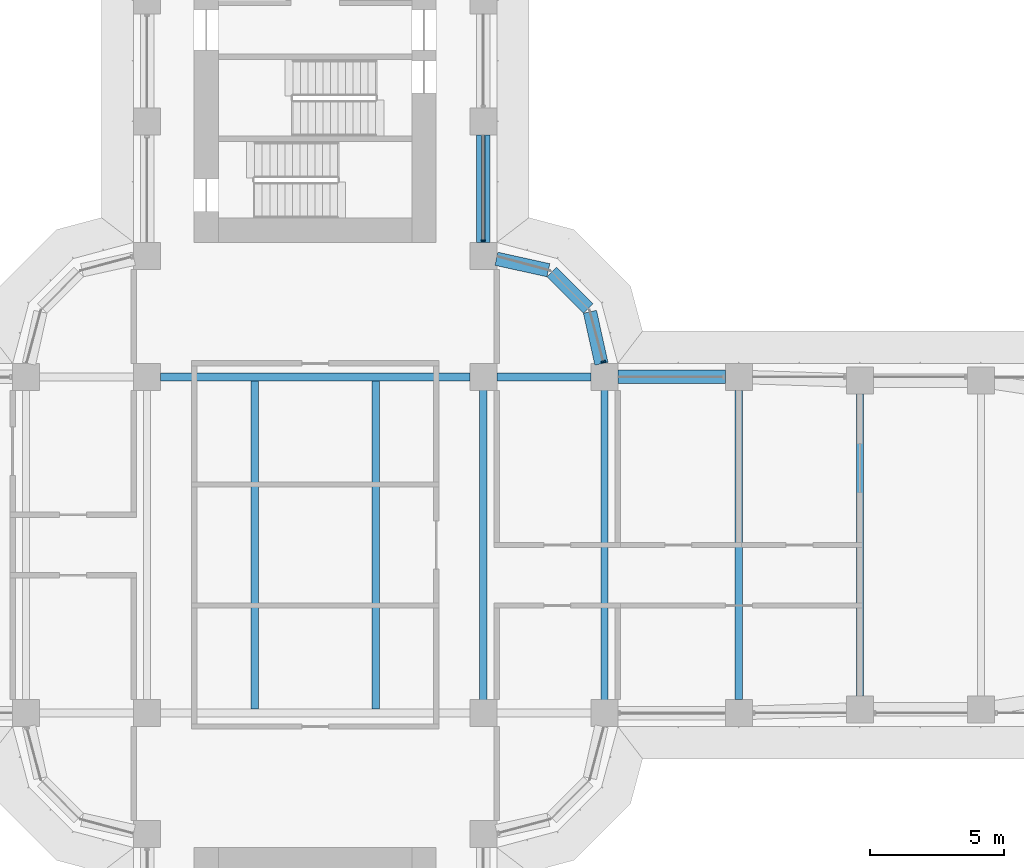
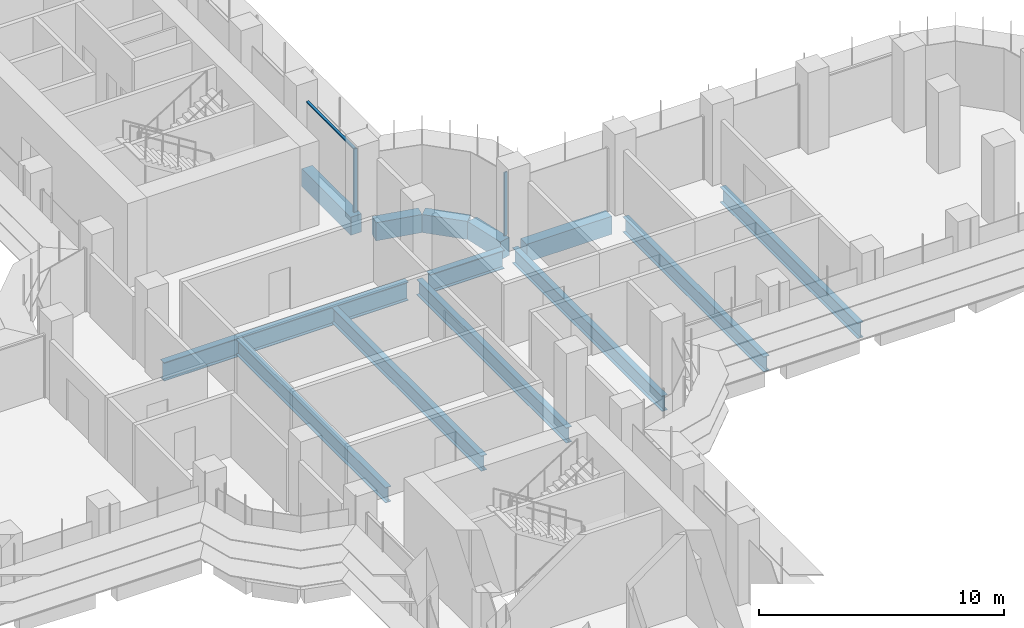
# One storey, part 8 of 23: 13 beams, 3 members, 2 elements without a shape of their own.
"""IFC4 building model written with IfcOpenShell, lengths in metres."""

from ifc_helpers import new_model, si_unit, direction, frame, origin, origin_2d, place, context, subcontext, project, spatial, polyline, rectangle, i_section, outline, extrude, source, transform, mapped, material, material_profile, profile_set, type_object, element, aggregate, save


model = new_model("IFC4")

# Units and contexts
model_context = context("Model", 3, precision=1e-05, world=origin(), true_north=direction((0.0, 1.0)))
body_context = subcontext(model_context, "Body", "Model", "MODEL_VIEW")
ifc_project = project(units=[si_unit("LENGTHUNIT", "METRE"), si_unit("AREAUNIT", "SQUARE_METRE"), si_unit("VOLUMEUNIT", "CUBIC_METRE"), si_unit("PLANEANGLEUNIT", "RADIAN"), si_unit("MASSUNIT", "GRAM", prefix="KILO")], contexts=[model_context])

# Site, building, storey
site_placement = place(None, origin())
site = spatial("IfcSite", under=ifc_project, at=site_placement, CompositionType="ELEMENT")
building_placement = place(site_placement, origin())
building = spatial("IfcBuilding", under=site, at=building_placement, Name="Zarbagh Exchange Tower", CompositionType="ELEMENT")
storey_placement = place(building_placement, frame((0.0, 0.0, 73.199951171875)))
storey = spatial("IfcBuildingStorey", under=building, at=storey_placement, Name="L16", CompositionType="ELEMENT", Elevation=73.199951171875)

# Beams
ifc_material_1 = material(Name="Steel ASTM A992 Gr 50", Category="steel")
ifc_material_profile_1 = material_profile(ifc_material_1, i_section(OverallWidth=0.2666015625, OverallDepth=0.76708984375, WebThickness=0.014892578125, FlangeThickness=0.023681640625, at=origin_2d()), Name="W30X124")
ifc_profile_set_1 = profile_set([ifc_material_profile_1], Name="Steel ASTM A992 Gr 50")
beam_type_1 = type_object("IfcBeamType", Name="Floor beam W30X124", PredefinedType="BEAM", material=ifc_profile_set_1)
for number, where, z_axis, x_axis, name in (
    (1, (-2.25, -6.09765625, -0.533447265625), (0.0, 1.0, 0.0), (-1.0, 0.0, 0.0), "Steel floor beam"),
    (2, (2.25, -6.09765625, -0.533447265625), (0.0, 1.0, 0.0), (-1.0, 0.0, 0.0), "Steel floor beam"),
    (3, (6.25, -6.09765625, -0.533447265625), (0.0, 1.0, 0.0), (-1.0, 0.0, 0.0), "Steel floor beam"),
    (4, (10.75, -6.09765625, -0.533447265625), (0.0, 1.0, 0.0), (-1.0, 0.0, 0.0), "Steel floor beam"),
):
    element("IfcBeam", number, at=place(storey_placement, frame(where, z_axis=z_axis, x_axis=x_axis)), inside=storey, type_object=beam_type_1, Name=name, PredefinedType="BEAM", context=body_context, shape_type="SweptSolid", body=[
        extrude(i_section(OverallWidth=0.2666015625, OverallDepth=0.76708984375, WebThickness=0.014892578125, FlangeThickness=0.023681640625, at=origin_2d()), origin(), (0.0, 0.0, 1.0), 12.1953125),
    ])
beam_1_placement = place(storey_placement, frame((15.75, -5.75, -0.533447265625), z_axis=(0.0, 1.0, 0.0), x_axis=(-1.0, 0.0, 0.0)))
element("IfcBeam", 5, at=beam_1_placement, inside=storey, type_object=beam_type_1, Name="Steel floor beam", PredefinedType="BEAM", context=body_context, shape_type="SweptSolid", body=[
    extrude(i_section(OverallWidth=0.2666015625, OverallDepth=0.76708984375, WebThickness=0.014892578125, FlangeThickness=0.023681640625, at=origin_2d()), origin(), (0.0, 0.0, 1.0), 11.5),
])
beam_2_placement = place(storey_placement, frame((20.25, -5.610107421875, -0.533447265625), z_axis=(0.0, 1.0, 0.0), x_axis=(-1.0, 0.0, 0.0)))
element("IfcBeam", 6, at=beam_2_placement, inside=storey, type_object=beam_type_1, Name="Steel floor beam", PredefinedType="BEAM", context=body_context, shape_type="SweptSolid", body=[
    extrude(i_section(OverallWidth=0.2666015625, OverallDepth=0.76708984375, WebThickness=0.014892578125, FlangeThickness=0.023681640625, at=origin_2d()), origin(), (0.0, 0.0, 1.0), 11.22021484375),
])
ifc_material_profile_2 = material_profile(ifc_material_1, i_section(OverallWidth=0.3046875, OverallDepth=0.91943359375, WebThickness=0.017333984375, FlangeThickness=0.02783203125, at=origin_2d()), Name="W36X170")
ifc_profile_set_2 = profile_set([ifc_material_profile_2], Name="Steel ASTM A992 Gr 50")
beam_type_2 = type_object("IfcBeamType", Name="Floor girder W36X170", PredefinedType="BEAM", material=ifc_profile_set_2)
beam_3_placement = place(storey_placement, frame((-5.75, 6.25, -0.609619140625), z_axis=(1.0, 0.0, 0.0), x_axis=(0.0, 1.0, 0.0)))
element("IfcBeam", 7, at=beam_3_placement, inside=storey, type_object=beam_type_2, Name="Steel girder", PredefinedType="BEAM", context=body_context, shape_type="SweptSolid", body=[
    extrude(i_section(OverallWidth=0.3046875, OverallDepth=0.91943359375, WebThickness=0.017333984375, FlangeThickness=0.02783203125, at=origin_2d()), origin(), (0.0, 0.0, 1.0), 11.5),
])
beam_4_placement = place(storey_placement, frame((6.75, 6.25, -0.609619140625), z_axis=(1.0, 0.0, 0.0), x_axis=(0.0, 1.0, 0.0)))
element("IfcBeam", 8, at=beam_4_placement, inside=storey, type_object=beam_type_2, Name="Steel girder", PredefinedType="BEAM", context=body_context, shape_type="SweptSolid", body=[
    extrude(i_section(OverallWidth=0.3046875, OverallDepth=0.91943359375, WebThickness=0.017333984375, FlangeThickness=0.02783203125, at=origin_2d()), origin(), (0.0, 0.0, 1.0), 3.5),
])
ifc_material_2 = material(Name="Concrete C60/75", Category="concrete")
ifc_material_profile_3 = material_profile(ifc_material_2, rectangle(XDim=0.5, YDim=0.89990234375, at=origin_2d()), Name="RC spandrel beam 500 x 900 C60/75")
ifc_profile_set_3 = profile_set([ifc_material_profile_3], Name="Concrete C60/75")
beam_type_3 = type_object("IfcBeamType", Name="RC spandrel beam 500 x 900 C60/75", PredefinedType="SPANDREL", material=ifc_profile_set_3)
beam_5_placement = place(storey_placement, frame((6.25, 15.25, -0.599853515625), z_axis=(0.0, -1.0, 0.0), x_axis=(1.0, 0.0, 0.0)))
element("IfcBeam", 9, at=beam_5_placement, inside=storey, type_object=beam_type_3, Name="RC spandrel beam", PredefinedType="SPANDREL", context=body_context, shape_type="SweptSolid", body=[
    extrude(rectangle(XDim=0.5, YDim=0.89990234375, at=origin_2d()), origin(), (0.0, 0.0, 1.0), 4.0),
])
beam_6_placement = place(storey_placement, frame((6.73828125, 10.64208984375, -0.599853515625), z_axis=(0.976375426825, -0.216081063242, 0.0), x_axis=(0.216081063242, 0.976375426825, 0.0)))
element("IfcBeam", 10, at=beam_6_placement, inside=storey, type_object=beam_type_3, Name="RC spandrel beam", PredefinedType="SPANDREL", context=body_context, shape_type="SweptSolid", body=[
    extrude(rectangle(XDim=0.5, YDim=0.89990234375, at=origin_2d()), origin(), (0.0, 0.0, 1.0), 1.978271484375),
])
beam_7_placement = place(storey_placement, frame((8.792724609375, 10.147216796875, -0.599853515625), z_axis=(0.707106781187, -0.707106781187, 0.0), x_axis=(0.707106781187, 0.707106781187, 0.0)))
element("IfcBeam", 11, at=beam_7_placement, inside=storey, type_object=beam_type_3, Name="RC spandrel beam", PredefinedType="SPANDREL", context=body_context, shape_type="SweptSolid", body=[
    extrude(rectangle(XDim=0.5, YDim=0.89990234375, at=origin_2d()), origin(), (0.0, 0.0, 1.0), 1.91552734375),
])
beam_8_placement = place(storey_placement, frame((10.214599609375, 8.669921875, -0.599853515625), z_axis=(0.216081063242, -0.976375426825, 0.0), x_axis=(0.976375426825, 0.216081063242, 0.0)))
element("IfcBeam", 12, at=beam_8_placement, inside=storey, type_object=beam_type_3, Name="RC spandrel beam", PredefinedType="SPANDREL", context=body_context, shape_type="SweptSolid", body=[
    extrude(rectangle(XDim=0.5, YDim=0.89990234375, at=origin_2d()), origin(), (0.0, 0.0, 1.0), 1.978271484375),
])
beam_9_placement = place(storey_placement, frame((11.25, 6.25, -0.599853515625), z_axis=(1.0, 0.0, 0.0), x_axis=(0.0, 1.0, 0.0)))
element("IfcBeam", 13, at=beam_9_placement, inside=storey, type_object=beam_type_3, Name="RC spandrel beam", PredefinedType="SPANDREL", context=body_context, shape_type="SweptSolid", body=[
    extrude(rectangle(XDim=0.5, YDim=0.89990234375, at=origin_2d()), origin(), (0.0, 0.0, 1.0), 4.0),
])

# Curtain wall, member
ifc_material_3 = material(Name="Anodised aluminium frame and glazing", Category="aluminium")
curtain_wall_type = type_object("IfcCurtainWallType", Name="CWA Ribbon glazing, lower zones", PredefinedType="NOTDEFINED", material=ifc_material_3)
curtain_wall_1_placement = place(storey_placement, origin())
curtain_wall_1 = element("IfcCurtainWall", 14, at=curtain_wall_1_placement, inside=storey, type_object=curtain_wall_type, Name="CWA17 curtain wall", PredefinedType="NOTDEFINED")
ifc_material_4 = material(Name="Anodised aluminium frame", Category="aluminium")
member_type_1 = type_object("IfcMemberType", Name="MUA Mullion, anodised aluminium frame", PredefinedType="MULLION", material=ifc_material_4)
shared_shape_1 = source(origin(), body_context, "Body", "SweptSolid", [
    extrude(outline(polyline([(0.0, -0.080078125), (0.06005859375, -0.080078125), (0.06005859375, 0.080078125), (0.0, 0.080078125), (0.0, -0.080078125)])), origin(), (0.0, 0.0, 1.0), 3.14990234375),
])
placement = place(storey_placement, origin())
member_1 = element("IfcMember", 15, at=placement, type_object=member_type_1, Name="CWA17 mullion 1.1", PredefinedType="MULLION", context=body_context, shape_type="MappedRepresentation", body=[
    mapped(shared_shape_1, transform((10.7216796875, 6.7900390625, 0.0), x_axis=(-0.258824779902, 0.965924289636, 0.0), y_axis=(-0.965924289636, -0.258824779902, 0.0), z_axis=(0.0, 0.0, 1.0))),
])
aggregate(curtain_wall_1, [member_1])

# Curtain wall, members
curtain_wall_2_placement = place(storey_placement, origin())
curtain_wall_2 = element("IfcCurtainWall", 16, at=curtain_wall_2_placement, inside=storey, type_object=curtain_wall_type, Name="CWA20 curtain wall", PredefinedType="NOTDEFINED")
member_2 = element("IfcMember", 17, at=placement, type_object=member_type_1, Name="CWA20 mullion 1.1", PredefinedType="MULLION", context=body_context, shape_type="MappedRepresentation", body=[
    mapped(shared_shape_1, transform((6.25, 11.2900390625, 0.0), x_axis=(0.0, 1.0, 0.0), y_axis=(-1.0, 0.0, 0.0), z_axis=(0.0, 0.0, 1.0))),
])
member_type_2 = type_object("IfcMemberType", Name="TRA Transom, anodised aluminium frame", PredefinedType="USERDEFINED", material=ifc_material_4)
shared_shape_2 = source(origin(), body_context, "Body", "SweptSolid", [
    extrude(outline(polyline([(-0.06005859375, -0.06005859375), (0.0, -0.06005859375), (0.0, 0.06005859375), (-0.06005859375, 0.06005859375), (-0.06005859375, -0.06005859375)])), origin(), (0.0, 0.0, 1.0), 3.860107421875),
])
member_3 = element("IfcMember", 18, at=placement, type_object=member_type_2, Name="CWA20 transom 1.1", ObjectType="TRANSOM", PredefinedType="USERDEFINED", context=body_context, shape_type="MappedRepresentation", body=[
    mapped(shared_shape_2, transform((6.25, 11.35009765625, 3.150146484375), x_axis=(0.0, 0.0, 1.0), y_axis=(1.0, 0.0, 0.0), z_axis=(0.0, 1.0, 0.0))),
])
aggregate(curtain_wall_2, [member_2, member_3])

save(model, "model.ifc")
